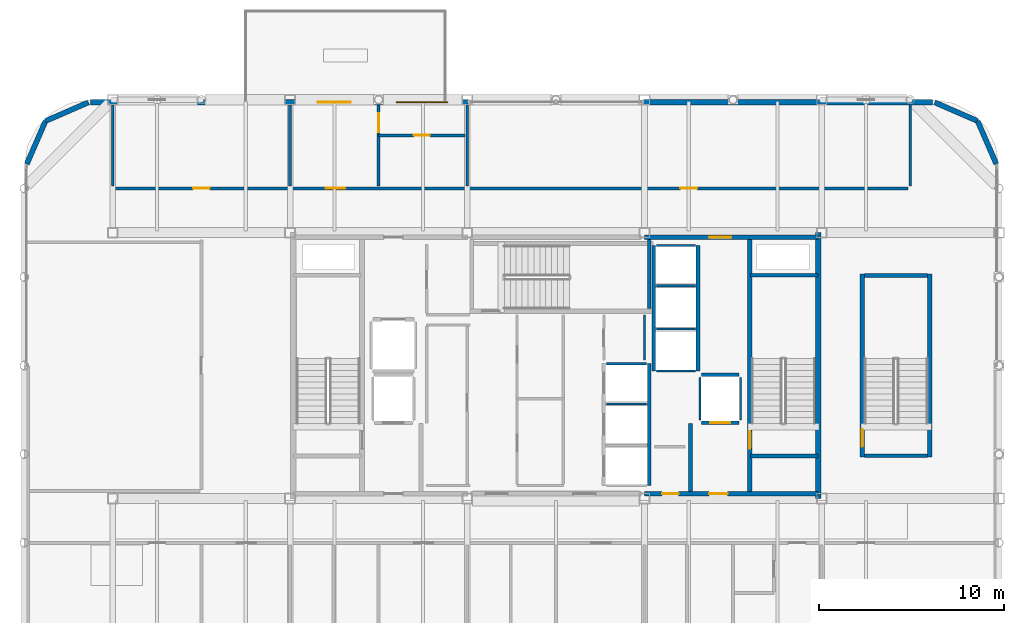
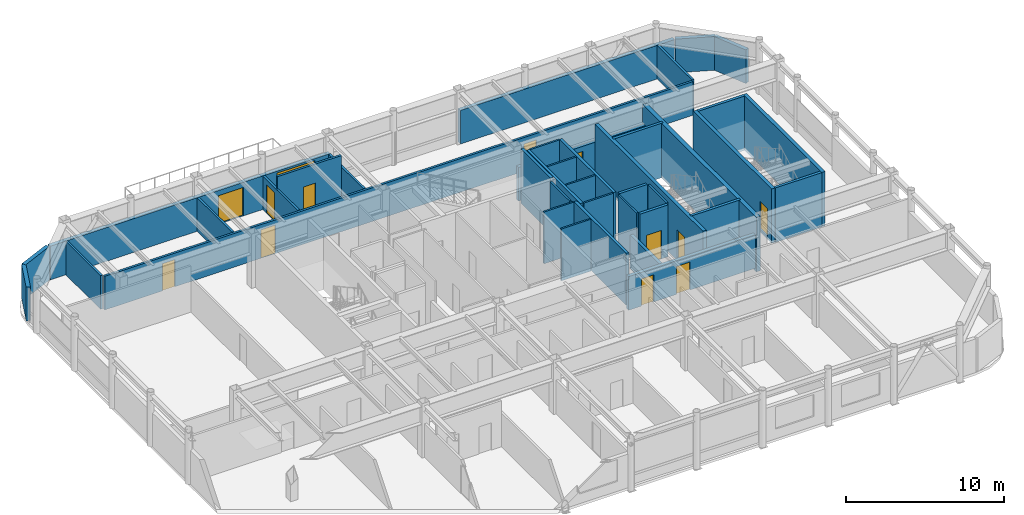
# One storey, part 19 of 23: 39 walls, 12 doors, 1 window, 13 openings.
"""IFC4 building model written with IfcOpenShell, lengths in metres."""

from ifc_helpers import new_model, si_unit, direction, frame, frame_2d, origin, place, context, subcontext, project, spatial, rectangle, extrude, material, layer, layer_set, type_object, element, fill, save


model = new_model("IFC4")

# Units and contexts
model_context = context("Model", 3, precision=1e-05, world=origin(), true_north=direction((0.0, 1.0)))
body_context = subcontext(model_context, "Body", "Model", "MODEL_VIEW")
ifc_project = project(units=[si_unit("LENGTHUNIT", "METRE"), si_unit("AREAUNIT", "SQUARE_METRE"), si_unit("VOLUMEUNIT", "CUBIC_METRE"), si_unit("PLANEANGLEUNIT", "RADIAN"), si_unit("MASSUNIT", "GRAM", prefix="KILO")], contexts=[model_context])

# Site, building, storey
site_placement = place(None, origin())
site = spatial("IfcSite", under=ifc_project, at=site_placement, CompositionType="ELEMENT")
building_placement = place(site_placement, origin())
building = spatial("IfcBuilding", under=site, at=building_placement, Name="Kallvorn Hotel Tower", CompositionType="ELEMENT")
storey_placement = place(building_placement, frame((0.0, 0.0, 282.199951171875)))
storey = spatial("IfcBuildingStorey", under=building, at=storey_placement, Name="L70", CompositionType="ELEMENT", Elevation=282.199951171875)

# Wall
ifc_material_1 = material(Name="Concrete C50/60", Category="concrete")
ifc_layer_1 = layer(ifc_material_1, 0.300048828125)
ifc_layer_set_1 = layer_set([ifc_layer_1], Name="WL_CORE_300")
wall_type_1 = type_object("IfcWallType", Name="WL_CORE_300", PredefinedType="SHEAR", material=ifc_layer_set_1)
wall_1_placement = place(storey_placement, frame((14.215087890625, -7.199951171875, -0.199951171875), z_axis=(0.0, 0.0, 1.0), x_axis=(0.0, 1.0, 0.0)))
element("IfcWall", 1, at=wall_1_placement, inside=storey, type_object=wall_type_1, Name="L70 Core East Shear Wall", PredefinedType="SHEAR", context=body_context, shape_type="SweptSolid", body=[
    extrude(rectangle(XDim=14.39990234375, YDim=0.300048828125, at=frame_2d((7.199951171875, 0.0))), origin(), (0.0, 0.0, 1.0), 4.199951171875),
])

# Wall, openings, doors
ifc_material_2 = material(Name="Fire-rated double-layer acoustic gypsum drywall EI 60")
ifc_layer_2 = layer(ifc_material_2, 0.159912109375)
ifc_layer_set_2 = layer_set([ifc_layer_2], Name="WL_DEMISE_160")
wall_type_2 = type_object("IfcWallType", Name="WL_DEMISE_160", PredefinedType="PARTITIONING", material=ifc_layer_set_2)
wall_2_placement = place(storey_placement, frame((-23.8798828125, 9.60009765625, 0.0), z_axis=(0.0, 0.0, 1.0), x_axis=(1.0, 0.0, 0.0)))
wall_2 = element("IfcWall", 2, at=wall_2_placement, inside=storey, type_object=wall_type_2, Name="L70 Suite 7005 Royal Panorama Living Salon Partition", PredefinedType="PARTITIONING", context=body_context, shape_type="SweptSolid", body=[
    extrude(rectangle(XDim=42.9599609375, YDim=0.159912109375, at=frame_2d((21.47998046875, 0.0))), origin(), (0.0, 0.0, 1.0), 2.60009765625),
])
opening_1_placement = place(wall_2_placement, frame((4.22998046875, 0.0, 0.0)))
opening_1 = element("IfcOpeningElement", 3, at=opening_1_placement, cuts=wall_2, Name="Opening SVD1", PredefinedType="OPENING", context=body_context, shape_type="SweptSolid", body=[
    extrude(rectangle(XDim=0.89990234375, YDim=2.10009765625, at=frame_2d((0.449951171875, 1.050048828125))), frame((0.0, 0.094970703125, 0.0), z_axis=(0.0, -1.0, 0.0), x_axis=(1.0, 0.0, 0.0)), (0.0, 0.0, 1.0), 0.18994140625),
])
opening_2_placement = place(wall_2_placement, frame((11.4150390625, 0.0, 0.0)))
opening_2 = element("IfcOpeningElement", 4, at=opening_2_placement, cuts=wall_2, Name="Opening GD2", PredefinedType="OPENING", context=body_context, shape_type="SweptSolid", body=[
    extrude(rectangle(XDim=1.050048828125, YDim=2.199951171875, at=frame_2d((0.52490234375, 1.10009765625))), frame((0.0, 0.094970703125, 0.0), z_axis=(0.0, -1.0, 0.0), x_axis=(1.0, 0.0, 0.0)), (0.0, 0.0, 1.0), 0.18994140625),
])
opening_3_placement = place(wall_2_placement, frame((30.6298828125, 0.0, 0.0)))
opening_3 = element("IfcOpeningElement", 5, at=opening_3_placement, cuts=wall_2, Name="Opening SVD1", PredefinedType="OPENING", context=body_context, shape_type="SweptSolid", body=[
    extrude(rectangle(XDim=0.89990234375, YDim=2.10009765625, at=frame_2d((0.449951171875, 1.050048828125))), frame((0.0, 0.094970703125, 0.0), z_axis=(0.0, -1.0, 0.0), x_axis=(1.0, 0.0, 0.0)), (0.0, 0.0, 1.0), 0.18994140625),
])
ifc_material_3 = material(Name="Galvanised painted steel fire-rated door assembly", Category="steel")
door_type_1 = type_object("IfcDoorType", Name="DR_SERV_900x2100", OperationType="NOTDEFINED", PredefinedType="DOOR", material=ifc_material_3)
door_1_placement = place(opening_1_placement, origin())
door_1 = element("IfcDoor", 6, at=door_1_placement, inside=storey, type_object=door_type_1, Name="L70 Summit Housekeeping and Butler Room Door", OperationType="SINGLE_SWING_LEFT", OverallHeight=2.10009765625, OverallWidth=0.89990234375, PredefinedType="DOOR", context=body_context, shape_type="SweptSolid", body=[
    extrude(rectangle(XDim=0.89990234375, YDim=2.10009765625, at=frame_2d((0.449951171875, 1.050048828125))), frame((0.0, 0.02490234375, 0.0), z_axis=(0.0, -1.0, 0.0), x_axis=(1.0, 0.0, 0.0)), (0.0, 0.0, 1.0), 0.050048828125),
])
fill(opening_1, door_1)
door_2_placement = place(opening_3_placement, origin())
door_2 = element("IfcDoor", 7, at=door_2_placement, inside=storey, type_object=door_type_1, Name="L70 Private Summit Wine and Cigar Salon Door", OperationType="SINGLE_SWING_LEFT", OverallHeight=2.10009765625, OverallWidth=0.89990234375, PredefinedType="DOOR", context=body_context, shape_type="SweptSolid", body=[
    extrude(rectangle(XDim=0.89990234375, YDim=2.10009765625, at=frame_2d((0.449951171875, 1.050048828125))), frame((0.0, 0.02490234375, 0.0), z_axis=(0.0, -1.0, 0.0), x_axis=(1.0, 0.0, 0.0)), (0.0, 0.0, 1.0), 0.050048828125),
])
fill(opening_3, door_2)
ifc_material_4 = material(Name="Solid-core walnut veneer fire-rated timber door leaf", Category="wood")
door_type_2 = type_object("IfcDoorType", Name="DR_SUITE_1050x2200", OperationType="NOTDEFINED", PredefinedType="DOOR", material=ifc_material_4)
door_3_placement = place(opening_2_placement, origin())
door_3 = element("IfcDoor", 8, at=door_3_placement, inside=storey, type_object=door_type_2, Name="L70 Suite 7005 Royal Panorama Living Salon Door", OperationType="SINGLE_SWING_RIGHT", OverallHeight=2.199951171875, OverallWidth=1.050048828125, PredefinedType="DOOR", context=body_context, shape_type="SweptSolid", body=[
    extrude(rectangle(XDim=1.050048828125, YDim=2.199951171875, at=frame_2d((0.52490234375, 1.10009765625))), frame((0.0, 0.02490234375, 0.0), z_axis=(0.0, -1.0, 0.0), x_axis=(1.0, 0.0, 0.0)), (0.0, 0.0, 1.0), 0.050048828125),
])
fill(opening_2, door_3)

# Wall, opening, door
wall_3_placement = place(storey_placement, frame((-9.60009765625, 12.469970703125, 0.0), z_axis=(0.0, 0.0, 1.0), x_axis=(1.0, 0.0, 0.0)))
wall_3 = element("IfcWall", 9, at=wall_3_placement, inside=storey, type_object=wall_type_2, Name="L70 Suite 7005 Royal Panorama Bedroom Partition", PredefinedType="PARTITIONING", context=body_context, shape_type="SweptSolid", body=[
    extrude(rectangle(XDim=4.68017578125, YDim=0.159912109375, at=frame_2d((2.340087890625, 0.0))), origin(), (0.0, 0.0, 1.0), 3.56005859375),
])
opening_4_placement = place(wall_3_placement, frame((1.909912109375, 0.0, 0.0)))
opening_4 = element("IfcOpeningElement", 10, at=opening_4_placement, cuts=wall_3, Name="Opening BD-I", PredefinedType="OPENING", context=body_context, shape_type="SweptSolid", body=[
    extrude(rectangle(XDim=0.860107421875, YDim=2.10009765625, at=frame_2d((0.43017578125, 1.050048828125))), frame((0.0, 0.094970703125, 0.0), z_axis=(0.0, -1.0, 0.0), x_axis=(1.0, 0.0, 0.0)), (0.0, 0.0, 1.0), 0.18994140625),
])
ifc_material_5 = material(Name="Solid-core walnut veneer fire-rated timber door leaf", Category="wood")
door_type_3 = type_object("IfcDoorType", Name="DR_BATH_860x2100", OperationType="NOTDEFINED", PredefinedType="DOOR", material=ifc_material_5)
door_4_placement = place(opening_4_placement, origin())
door_4 = element("IfcDoor", 11, at=door_4_placement, inside=storey, type_object=door_type_3, Name="L70 Suite 7005 En-Suite Bathroom Door", OperationType="SINGLE_SWING_RIGHT", OverallHeight=2.10009765625, OverallWidth=0.860107421875, PredefinedType="DOOR", context=body_context, shape_type="SweptSolid", body=[
    extrude(rectangle(XDim=0.860107421875, YDim=2.10009765625, at=frame_2d((0.43017578125, 1.050048828125))), frame((0.0, 0.02490234375, 0.0), z_axis=(0.0, -1.0, 0.0), x_axis=(1.0, 0.0, 0.0)), (0.0, 0.0, 1.0), 0.050048828125),
])
fill(opening_4, door_4)

# Wall
wall_4_placement = place(storey_placement, frame((-14.39990234375, 9.719970703125, 0.0), z_axis=(0.0, 0.0, 1.0), x_axis=(0.0, 1.0, 0.0)))
element("IfcWall", 12, at=wall_4_placement, inside=storey, type_object=wall_type_2, Name="L70 Suite 7005 Royal Panorama Living Salon Partition", PredefinedType="PARTITIONING", context=body_context, shape_type="SweptSolid", body=[
    extrude(rectangle(XDim=4.39013671875, YDim=0.159912109375, at=frame_2d((2.195068359375, 0.0))), origin(), (0.0, 0.0, 1.0), 2.60009765625),
])

# Wall, opening, door
wall_5_placement = place(storey_placement, frame((-9.60009765625, 9.719970703125, 0.0), z_axis=(0.0, 0.0, 1.0), x_axis=(0.0, 1.0, 0.0)))
wall_5 = element("IfcWall", 13, at=wall_5_placement, inside=storey, type_object=wall_type_2, Name="L70 Suite 7005 Royal Panorama Living Salon Partition", PredefinedType="PARTITIONING", context=body_context, shape_type="SweptSolid", body=[
    extrude(rectangle(XDim=4.39013671875, YDim=0.159912109375, at=frame_2d((2.195068359375, 0.0))), origin(), (0.0, 0.0, 1.0), 2.60009765625),
])
opening_5_placement = place(wall_5_placement, frame((2.909912109375, 0.0, 0.0)))
opening_5 = element("IfcOpeningElement", 14, at=opening_5_placement, cuts=wall_5, Name="Opening GD2", PredefinedType="OPENING", context=body_context, shape_type="SweptSolid", body=[
    extrude(rectangle(XDim=1.050048828125, YDim=2.199951171875, at=frame_2d((0.52490234375, 1.10009765625))), frame((0.0, 0.094970703125, 0.0), z_axis=(0.0, -1.0, 0.0), x_axis=(1.0, 0.0, 0.0)), (0.0, 0.0, 1.0), 0.18994140625),
])
door_5_placement = place(opening_5_placement, origin())
door_5 = element("IfcDoor", 15, at=door_5_placement, inside=storey, type_object=door_type_2, Name="L70 Suite 7005 Royal Panorama Bedroom Door", OperationType="SINGLE_SWING_LEFT", OverallHeight=2.199951171875, OverallWidth=1.050048828125, PredefinedType="DOOR", context=body_context, shape_type="SweptSolid", body=[
    extrude(rectangle(XDim=1.050048828125, YDim=2.199951171875, at=frame_2d((0.52490234375, 1.10009765625))), frame((0.0, 0.02490234375, 0.0), z_axis=(0.0, -1.0, 0.0), x_axis=(1.0, 0.0, 0.0)), (0.0, 0.0, 1.0), 0.050048828125),
])
fill(opening_5, door_5)

# Walls
wall_6_placement = place(storey_placement, frame((-4.800048828125, 9.719970703125, 0.0), z_axis=(0.0, 0.0, 1.0), x_axis=(0.0, 1.0, 0.0)))
element("IfcWall", 16, at=wall_6_placement, inside=storey, type_object=wall_type_2, Name="L70 Suite 7005 Royal Panorama Bedroom Partition", PredefinedType="PARTITIONING", context=body_context, shape_type="SweptSolid", body=[
    extrude(rectangle(XDim=4.39013671875, YDim=0.159912109375, at=frame_2d((2.195068359375, 0.0))), origin(), (0.0, 0.0, 1.0), 2.60009765625),
])
ifc_material_6 = material(Name="Precast basalt-clad insulated concrete wall C40/50", Category="masonry")
ifc_layer_3 = layer(ifc_material_6, 0.280029296875)
ifc_layer_set_3 = layer_set([ifc_layer_3], Name="WL_EXT_LOGGIA_280")
wall_type_3 = type_object("IfcWallType", Name="WL_EXT_LOGGIA_280", PredefinedType="SOLIDWALL", material=ifc_layer_set_3)
for number, where, z_axis, x_axis, name in (
    (17, (23.85791015625, 10.9208984375, 0.0), (0.0, 0.0, 1.0), (-0.398747232384, 0.917060872934, 0.0), "L70 Rounded Corner Exterior Wall NE1"),
    (18, (22.8466796875, 13.24658203125, 0.0), (0.0, 0.0, 1.0), (-0.917076177656, 0.398712031894, 0.0), "L70 Rounded Corner Exterior Wall NE2"),
    (19, (-25.32080078125, 14.2578125, 0.0), (0.0, 0.0, 1.0), (-0.917060872934, -0.398747232384, 0.0), "L70 Rounded Corner Exterior Wall NW1"),
    (20, (-27.646484375, 13.24658203125, 0.0), (0.0, 0.0, 1.0), (-0.398828190223, -0.917025667407, 0.0), "L70 Rounded Corner Exterior Wall NW2"),
):
    element("IfcWall", number, at=place(storey_placement, frame(where, z_axis=z_axis, x_axis=x_axis)), inside=storey, type_object=wall_type_3, Name=name, PredefinedType="SOLIDWALL", context=body_context, shape_type="SweptSolid", body=[
        extrude(rectangle(XDim=2.5361328125, YDim=0.280029296875, at=frame_2d((1.26806640625, 0.0))), origin(), (0.0, 0.0, 1.0), 2.60009765625),
    ])

# Wall, openings, door, window
wall_7_placement = place(storey_placement, frame((-25.199951171875, 14.260009765625, 0.0), z_axis=(0.0, 0.0, 1.0), x_axis=(1.0, 0.0, 0.0)))
wall_7 = element("IfcWall", 21, at=wall_7_placement, inside=storey, type_object=wall_type_3, Name="L70 Exterior Envelope Wall EW-L70-NW", PredefinedType="SOLIDWALL", context=body_context, shape_type="SweptSolid", body=[
    extrude(rectangle(XDim=20.449951171875, YDim=0.280029296875, at=frame_2d((10.22509765625, 0.0))), origin(), (0.0, 0.0, 1.0), 2.60009765625),
])
opening_6_placement = place(wall_7_placement, frame((12.300048828125, 0.0, 0.0)))
opening_6 = element("IfcOpeningElement", 22, at=opening_6_placement, cuts=wall_7, Name="Opening TD2", PredefinedType="OPENING", context=body_context, shape_type="SweptSolid", body=[
    extrude(rectangle(XDim=1.800048828125, YDim=2.199951171875, at=frame_2d((0.89990234375, 1.10009765625))), frame((0.0, 0.155029296875, 0.0), z_axis=(0.0, -1.0, 0.0), x_axis=(1.0, 0.0, 0.0)), (0.0, 0.0, 1.0), 0.31005859375),
])
opening_7_placement = place(wall_7_placement, frame((16.5400390625, 0.0, 0.75)))
opening_7 = element("IfcOpeningElement", 23, at=opening_7_placement, cuts=wall_7, Name="Opening W08A", PredefinedType="OPENING", context=body_context, shape_type="SweptSolid", body=[
    extrude(rectangle(XDim=2.800048828125, YDim=1.699951171875, at=frame_2d((1.39990234375, 0.85009765625))), frame((0.0, 0.155029296875, 0.0), z_axis=(0.0, -1.0, 0.0), x_axis=(1.0, 0.0, 0.0)), (0.0, 0.0, 1.0), 0.31005859375),
])
ifc_material_7 = material(Name="Double-glazed low-e solar-control dark glass", Category="glass")
door_type_4 = type_object("IfcDoorType", Name="DR_TERR_TOW_1800x2200", OperationType="DOUBLE_DOOR_SINGLE_SWING", PredefinedType="DOOR", material=ifc_material_7)
door_6_placement = place(opening_6_placement, origin())
door_6 = element("IfcDoor", 24, at=door_6_placement, inside=storey, type_object=door_type_4, Name="L70 Step-Off Terrace Glazed Door 1", OperationType="DOUBLE_DOOR_SINGLE_SWING", OverallHeight=2.199951171875, OverallWidth=1.800048828125, PredefinedType="DOOR", context=body_context, shape_type="SweptSolid", body=[
    extrude(rectangle(XDim=1.800048828125, YDim=2.199951171875, at=frame_2d((0.89990234375, 1.10009765625))), frame((0.0, 0.02490234375, 0.0), z_axis=(0.0, -1.0, 0.0), x_axis=(1.0, 0.0, 0.0)), (0.0, 0.0, 1.0), 0.050048828125),
])
fill(opening_6, door_6)
ifc_material_8 = material(Name="Triple-glazed low-e acoustic solar-control dark glass", Category="glass")
window_type = type_object("IfcWindowType", Name="WN_SUM_2800x1700", PartitioningType="SINGLE_PANEL", PredefinedType="WINDOW", material=ifc_material_8)
window_placement = place(opening_7_placement, origin())
window = element("IfcWindow", 25, at=window_placement, inside=storey, type_object=window_type, Name="L70 Guestroom Exterior Window 06", OverallHeight=1.699951171875, OverallWidth=2.800048828125, PartitioningType="SINGLE_PANEL", PredefinedType="WINDOW", context=body_context, shape_type="SweptSolid", body=[
    extrude(rectangle(XDim=2.800048828125, YDim=1.699951171875, at=frame_2d((1.39990234375, 0.85009765625))), frame((0.0, 0.030029296875, 0.0), z_axis=(0.0, -1.0, 0.0), x_axis=(1.0, 0.0, 0.0)), (0.0, 0.0, 1.0), 0.06005859375),
])
fill(opening_7, window)

# Walls
wall_8_placement = place(storey_placement, frame((4.75, 14.260009765625, 0.0), z_axis=(0.0, 0.0, 1.0), x_axis=(1.0, 0.0, 0.0)))
element("IfcWall", 26, at=wall_8_placement, inside=storey, type_object=wall_type_3, Name="L70 Exterior Envelope Wall EW-L70-NE", PredefinedType="SOLIDWALL", context=body_context, shape_type="SweptSolid", body=[
    extrude(rectangle(XDim=15.64990234375, YDim=0.280029296875, at=frame_2d((7.824951171875, 0.0))), origin(), (0.0, 0.0, 1.0), 2.60009765625),
])
ifc_material_9 = material(Name="Concrete C40/50", Category="concrete")
ifc_layer_4 = layer(ifc_material_9, 0.219970703125)
ifc_layer_set_4 = layer_set([ifc_layer_4], Name="WL_FFL_220")
wall_type_4 = type_object("IfcWallType", Name="WL_FFL_220", PredefinedType="SOLIDWALL", material=ifc_layer_set_4)
wall_9_placement = place(storey_placement, frame((7.300048828125, -6.820068359375, 0.0), z_axis=(0.0, 0.0, 1.0), x_axis=(0.0, 1.0, 0.0)))
element("IfcWall", 27, at=wall_9_placement, inside=storey, type_object=wall_type_4, Name="L70 Firefighting Lobby East Divider Wall", PredefinedType="SOLIDWALL", context=body_context, shape_type="SweptSolid", body=[
    extrude(rectangle(XDim=3.670166015625, YDim=0.219970703125, at=frame_2d((1.8349609375, 0.0))), origin(), (0.0, 0.0, 1.0), 2.60009765625),
])
ifc_material_10 = material(Name="Concrete C40/50", Category="concrete")
ifc_layer_5 = layer(ifc_material_10, 0.199951171875)
ifc_layer_set_5 = layer_set([ifc_layer_5], Name="WL_HOIST_200")
wall_type_5 = type_object("IfcWallType", Name="WL_HOIST_200", PredefinedType="SOLIDWALL", material=ifc_layer_set_5)
for number, where, z_axis, x_axis, name in (
    (28, (10.550048828125, -4.89990234375, -0.199951171875), (0.0, 0.0, 1.0), (1.0, 0.0, 0.0), "L70 Stair ST2 South Wall"),
    (29, (10.550048828125, 4.89990234375, -0.199951171875), (0.0, 0.0, 1.0), (1.0, 0.0, 0.0), "L70 Stair ST2 North Wall"),
):
    element("IfcWall", number, at=place(storey_placement, frame(where, z_axis=z_axis, x_axis=x_axis)), inside=storey, type_object=wall_type_5, Name=name, PredefinedType="SOLIDWALL", context=body_context, shape_type="SweptSolid", body=[
        extrude(rectangle(XDim=3.64990234375, YDim=0.199951171875, at=frame_2d((1.824951171875, 0.0))), origin(), (0.0, 0.0, 1.0), 4.199951171875),
    ])
wall_10_placement = place(storey_placement, frame((5.06005859375, 3.080078125, -0.199951171875), z_axis=(0.0, 0.0, 1.0), x_axis=(0.0, 1.0, 0.0)))
element("IfcWall", 30, at=wall_10_placement, inside=storey, type_object=wall_type_5, Name="L70 Stair ST3 East Wall", PredefinedType="SOLIDWALL", context=body_context, shape_type="SweptSolid", body=[
    extrude(rectangle(XDim=3.739990234375, YDim=0.199951171875, at=frame_2d((1.8701171875, 0.0))), origin(), (0.0, 0.0, 1.0), 4.199951171875),
])
for number, where, z_axis, x_axis, name in (
    (31, (16.72998046875, -4.8798828125, -0.199951171875), (0.0, 0.0, 1.0), (1.0, 0.0, 0.0), "L70 Summit Exit Stair ST4 South Wall"),
    (32, (16.72998046875, 4.8798828125, -0.199951171875), (0.0, 0.0, 1.0), (1.0, 0.0, 0.0), "L70 Summit Exit Stair ST4 North Wall"),
):
    element("IfcWall", number, at=place(storey_placement, frame(where, z_axis=z_axis, x_axis=x_axis)), inside=storey, type_object=wall_type_5, Name=name, PredefinedType="SOLIDWALL", context=body_context, shape_type="SweptSolid", body=[
        extrude(rectangle(XDim=3.39990234375, YDim=0.199951171875, at=frame_2d((1.699951171875, 0.0))), origin(), (0.0, 0.0, 1.0), 4.199951171875),
    ])
wall_11_placement = place(storey_placement, frame((5.050048828125, -6.5, 0.0), z_axis=(0.0, 0.0, 1.0), x_axis=(0.0, 1.0, 0.0)))
element("IfcWall", 33, at=wall_11_placement, inside=storey, type_object=wall_type_5, Name="L70 Lift Bank B3A Rear Shaft Wall", PredefinedType="SOLIDWALL", context=body_context, shape_type="SweptSolid", body=[
    extrude(rectangle(XDim=6.60009765625, YDim=0.199951171875, at=frame_2d((3.300048828125, 0.0))), origin(), (0.0, 0.0, 1.0), 4.0),
])
for number, where, z_axis, x_axis, name in (
    (34, (7.699951171875, -0.300048828125, 0.0), (0.0, 0.0, 1.0), (0.0, 1.0, 0.0), "L70 Lift Bank OBS Landing Wall"),
    (35, (5.300048828125, -0.300048828125, 0.0), (0.0, 0.0, 1.0), (0.0, 1.0, 0.0), "L70 Lift Bank OBS Rear Shaft Wall"),
):
    element("IfcWall", number, at=place(storey_placement, frame(where, z_axis=z_axis, x_axis=x_axis)), inside=storey, type_object=wall_type_5, Name=name, PredefinedType="SOLIDWALL", context=body_context, shape_type="SweptSolid", body=[
        extrude(rectangle(XDim=6.800048828125, YDim=0.199951171875, at=frame_2d((3.39990234375, 0.0))), origin(), (0.0, 0.0, 1.0), 4.0),
    ])

# Wall, opening, door
wall_12_placement = place(storey_placement, frame((7.8798828125, -3.10009765625, 0.0), z_axis=(0.0, 0.0, 1.0), x_axis=(1.0, 0.0, 0.0)))
wall_12 = element("IfcWall", 36, at=wall_12_placement, inside=storey, type_object=wall_type_5, Name="L70 FL-2 Landing Wall", PredefinedType="SOLIDWALL", context=body_context, shape_type="SweptSolid", body=[
    extrude(rectangle(XDim=2.0400390625, YDim=0.199951171875, at=frame_2d((1.02001953125, 0.0))), origin(), (0.0, 0.0, 1.0), 4.0),
])
opening_8_placement = place(wall_12_placement, frame((0.469970703125, 0.0, 0.0)))
opening_8 = element("IfcOpeningElement", 37, at=opening_8_placement, cuts=wall_12, Name="Opening LD-FL-2", PredefinedType="OPENING", context=body_context, shape_type="SweptSolid", body=[
    extrude(rectangle(XDim=1.10009765625, YDim=2.199951171875, at=frame_2d((0.550048828125, 1.10009765625))), frame((0.0, 0.114990234375, 0.0), z_axis=(0.0, -1.0, 0.0), x_axis=(1.0, 0.0, 0.0)), (0.0, 0.0, 1.0), 0.22998046875),
])
ifc_material_11 = material(Name="Brushed stainless-steel automatic sliding lift landing door", Category="steel")
door_type_5 = type_object("IfcDoorType", Name="LD_PASS_1100x2200", OperationType="SLIDING_TO_LEFT", PredefinedType="DOOR", material=ifc_material_11)
door_7_placement = place(opening_8_placement, origin())
door_7 = element("IfcDoor", 38, at=door_7_placement, inside=storey, type_object=door_type_5, Name="L70 Lift Landing Sliding Door LD-FL-2", OperationType="SLIDING_TO_LEFT", OverallHeight=2.199951171875, OverallWidth=1.10009765625, PredefinedType="DOOR", context=body_context, shape_type="SweptSolid", body=[
    extrude(rectangle(XDim=1.10009765625, YDim=2.199951171875, at=frame_2d((0.550048828125, 1.10009765625))), frame((0.0, 0.02490234375, 0.0), z_axis=(0.0, -1.0, 0.0), x_axis=(1.0, 0.0, 0.0)), (0.0, 0.0, 1.0), 0.050048828125),
])
fill(opening_8, door_7)

# Walls
wall_13_placement = place(storey_placement, frame((7.8798828125, -0.5, 0.0), z_axis=(0.0, 0.0, 1.0), x_axis=(1.0, 0.0, 0.0)))
element("IfcWall", 39, at=wall_13_placement, inside=storey, type_object=wall_type_5, Name="L70 FL-2 Rear Shaft Wall", PredefinedType="SOLIDWALL", context=body_context, shape_type="SweptSolid", body=[
    extrude(rectangle(XDim=2.0400390625, YDim=0.199951171875, at=frame_2d((1.02001953125, 0.0))), origin(), (0.0, 0.0, 1.0), 4.0),
])
ifc_material_12 = material(Name="Fire-rated double-layer acoustic gypsum drywall EI 60")
ifc_layer_6 = layer(ifc_material_12, 0.1201171875)
ifc_layer_set_6 = layer_set([ifc_layer_6], Name="WL_INT_120")
wall_type_6 = type_object("IfcWallType", Name="WL_INT_120", PredefinedType="PARTITIONING", material=ifc_layer_set_6)
for number, where, z_axis, x_axis, name in (
    (40, (2.739990234375, -2.074951171875, 0.0), (0.0, 0.0, 1.0), (1.0, 0.0, 0.0), "L70 PL-10 Hoistway Divider"),
    (41, (2.739990234375, 0.10009765625, 0.0), (0.0, 0.0, 1.0), (1.0, 0.0, 0.0), "L70 PL-11 Hoistway Divider"),
):
    element("IfcWall", number, at=place(storey_placement, frame(where, z_axis=z_axis, x_axis=x_axis)), inside=storey, type_object=wall_type_6, Name=name, PredefinedType="PARTITIONING", context=body_context, shape_type="SweptSolid", body=[
        extrude(rectangle(XDim=2.169921875, YDim=0.1201171875, at=frame_2d((1.0849609375, 0.0))), origin(), (0.0, 0.0, 1.0), 4.0),
    ])
for number, where, z_axis, x_axis, name in (
    (42, (5.43994140625, -0.300048828125, 0.0), (0.0, 0.0, 1.0), (1.0, 0.0, 0.0), "L70 Lift Bank OBS South Closure Wall"),
    (43, (5.43994140625, 1.97509765625, 0.0), (0.0, 0.0, 1.0), (1.0, 0.0, 0.0), "L70 OB-01 Hoistway Divider"),
    (44, (5.43994140625, 4.324951171875, 0.0), (0.0, 0.0, 1.0), (1.0, 0.0, 0.0), "L70 OB-02 Hoistway Divider"),
    (45, (5.43994140625, 6.5, 0.0), (0.0, 0.0, 1.0), (1.0, 0.0, 0.0), "L70 OB-03 Hoistway Divider"),
):
    element("IfcWall", number, at=place(storey_placement, frame(where, z_axis=z_axis, x_axis=x_axis)), inside=storey, type_object=wall_type_6, Name=name, PredefinedType="PARTITIONING", context=body_context, shape_type="SweptSolid", body=[
        extrude(rectangle(XDim=2.1201171875, YDim=0.1201171875, at=frame_2d((1.06005859375, 0.0))), origin(), (0.0, 0.0, 1.0), 4.0),
    ])
for number, where, z_axis, x_axis, name in (
    (46, (7.800048828125, -2.9599609375, 0.0), (0.0, 0.0, 1.0), (0.0, 1.0, 0.0), "L70 FL-2 West Shaft Wall"),
    (47, (10.0, -2.9599609375, 0.0), (0.0, 0.0, 1.0), (0.0, 1.0, 0.0), "L70 FL-2 East Shaft Wall"),
):
    element("IfcWall", number, at=place(storey_placement, frame(where, z_axis=z_axis, x_axis=x_axis)), inside=storey, type_object=wall_type_6, Name=name, PredefinedType="PARTITIONING", context=body_context, shape_type="SweptSolid", body=[
        extrude(rectangle(XDim=2.320068359375, YDim=0.1201171875, at=frame_2d((1.16015625, 0.0))), origin(), (0.0, 0.0, 1.0), 4.0),
    ])
wall_14_placement = place(storey_placement, frame((4.800048828125, 0.300048828125, 0.0), z_axis=(0.0, 0.0, 1.0), x_axis=(0.0, 1.0, 0.0)))
element("IfcWall", 48, at=wall_14_placement, inside=storey, type_object=wall_type_6, Name="L70 East Core Janitor Room Partition", PredefinedType="PARTITIONING", context=body_context, shape_type="SweptSolid", body=[
    extrude(rectangle(XDim=2.449951171875, YDim=0.1201171875, at=frame_2d((1.22509765625, 0.0))), origin(), (0.0, 0.0, 1.0), 4.0),
])
ifc_material_13 = material(Name="Fire-rated double-layer acoustic gypsum drywall EI 60")
ifc_layer_7 = layer(ifc_material_13, 0.14990234375)
ifc_layer_set_7 = layer_set([ifc_layer_7], Name="WL_PART_150")
wall_type_7 = type_object("IfcWallType", Name="WL_PART_150", PredefinedType="PARTITIONING", material=ifc_layer_set_7)
for number, where, z_axis, x_axis, name in (
    (49, (-24.0, 9.719970703125, 0.0), (0.0, 0.0, 1.0), (0.0, 1.0, 0.0), "L70 Summit Housekeeping and Butler Room Partition"),
    (50, (19.199951171875, 9.719970703125, 0.0), (0.0, 0.0, 1.0), (0.0, 1.0, 0.0), "L70 Private Summit Wine and Cigar Salon Partition"),
):
    element("IfcWall", number, at=place(storey_placement, frame(where, z_axis=z_axis, x_axis=x_axis)), inside=storey, type_object=wall_type_7, Name=name, PredefinedType="PARTITIONING", context=body_context, shape_type="SweptSolid", body=[
        extrude(rectangle(XDim=4.39013671875, YDim=0.14990234375, at=frame_2d((2.195068359375, 0.0))), origin(), (0.0, 0.0, 1.0), 2.60009765625),
    ])

# Wall, openings, doors
ifc_material_14 = material(Name="Concrete C40/50", Category="concrete")
ifc_layer_8 = layer(ifc_material_14, 0.25)
ifc_layer_set_8 = layer_set([ifc_layer_8], Name="WL_SHAFT_250")
wall_type_8 = type_object("IfcWallType", Name="WL_SHAFT_250", PredefinedType="SOLIDWALL", material=ifc_layer_set_8)
wall_15_placement = place(storey_placement, frame((4.800048828125, -6.949951171875, 0.0), z_axis=(0.0, 0.0, 1.0), x_axis=(1.0, 0.0, 0.0)))
wall_15 = element("IfcWall", 51, at=wall_15_placement, inside=storey, type_object=wall_type_8, Name="L70 Core South-East Wall", PredefinedType="SOLIDWALL", context=body_context, shape_type="SweptSolid", body=[
    extrude(rectangle(XDim=9.39990234375, YDim=0.25, at=frame_2d((4.699951171875, 0.0))), origin(), (0.0, 0.0, 1.0), 2.60009765625),
])
opening_9_placement = place(wall_15_placement, frame((3.5, 0.0, 0.0)))
opening_9 = element("IfcOpeningElement", 52, at=opening_9_placement, cuts=wall_15, Name="Opening FD1", PredefinedType="OPENING", context=body_context, shape_type="SweptSolid", body=[
    extrude(rectangle(XDim=1.0, YDim=2.14990234375, at=frame_2d((0.5, 1.074951171875))), frame((0.0, 0.139892578125, 0.0), z_axis=(0.0, -1.0, 0.0), x_axis=(1.0, 0.0, 0.0)), (0.0, 0.0, 1.0), 0.280029296875),
])
opening_10_placement = place(wall_15_placement, frame((0.949951171875, 0.0, 0.0)))
opening_10 = element("IfcOpeningElement", 53, at=opening_10_placement, cuts=wall_15, Name="Opening SVD1", PredefinedType="OPENING", context=body_context, shape_type="SweptSolid", body=[
    extrude(rectangle(XDim=0.89990234375, YDim=2.10009765625, at=frame_2d((0.449951171875, 1.050048828125))), frame((0.0, 0.139892578125, 0.0), z_axis=(0.0, -1.0, 0.0), x_axis=(1.0, 0.0, 0.0)), (0.0, 0.0, 1.0), 0.280029296875),
])
ifc_material_15 = material(Name="Galvanised painted steel fire-rated door assembly", Category="steel")
door_type_6 = type_object("IfcDoorType", Name="DR_FFL_1000x2150", OperationType="NOTDEFINED", PredefinedType="DOOR", material=ifc_material_15)
door_8_placement = place(opening_9_placement, origin())
door_8 = element("IfcDoor", 54, at=door_8_placement, inside=storey, type_object=door_type_6, Name="L70 Firefighting Lobby East Door", OperationType="SINGLE_SWING_LEFT", OverallHeight=2.14990234375, OverallWidth=1.0, PredefinedType="DOOR", context=body_context, shape_type="SweptSolid", body=[
    extrude(rectangle(XDim=1.0, YDim=2.14990234375, at=frame_2d((0.5, 1.074951171875))), frame((0.0, 0.02490234375, 0.0), z_axis=(0.0, -1.0, 0.0), x_axis=(1.0, 0.0, 0.0)), (0.0, 0.0, 1.0), 0.050048828125),
])
fill(opening_9, door_8)
door_9_placement = place(opening_10_placement, origin())
door_9 = element("IfcDoor", 55, at=door_9_placement, inside=storey, type_object=door_type_1, Name="L70 Core Staff Restroom WC Door", OperationType="SINGLE_SWING_RIGHT", OverallHeight=2.10009765625, OverallWidth=0.89990234375, PredefinedType="DOOR", context=body_context, shape_type="SweptSolid", body=[
    extrude(rectangle(XDim=0.89990234375, YDim=2.10009765625, at=frame_2d((0.449951171875, 1.050048828125))), frame((0.0, 0.02490234375, 0.0), z_axis=(0.0, -1.0, 0.0), x_axis=(1.0, 0.0, 0.0)), (0.0, 0.0, 1.0), 0.050048828125),
])
fill(opening_10, door_9)

# Wall, opening, door
wall_16_placement = place(storey_placement, frame((4.800048828125, 6.949951171875, 0.0), z_axis=(0.0, 0.0, 1.0), x_axis=(1.0, 0.0, 0.0)))
wall_16 = element("IfcWall", 56, at=wall_16_placement, inside=storey, type_object=wall_type_8, Name="L70 Core North-East Wall", PredefinedType="SOLIDWALL", context=body_context, shape_type="SweptSolid", body=[
    extrude(rectangle(XDim=9.39990234375, YDim=0.25, at=frame_2d((4.699951171875, 0.0))), origin(), (0.0, 0.0, 1.0), 2.60009765625),
])
opening_11_placement = place(wall_16_placement, frame((3.5, 0.0, 0.0)))
opening_11 = element("IfcOpeningElement", 57, at=opening_11_placement, cuts=wall_16, Name="Opening FD2", PredefinedType="OPENING", context=body_context, shape_type="SweptSolid", body=[
    extrude(rectangle(XDim=1.199951171875, YDim=2.199951171875, at=frame_2d((0.60009765625, 1.10009765625))), frame((0.0, 0.139892578125, 0.0), z_axis=(0.0, -1.0, 0.0), x_axis=(1.0, 0.0, 0.0)), (0.0, 0.0, 1.0), 0.280029296875),
])
ifc_material_16 = material(Name="Galvanised painted steel fire-rated door assembly", Category="steel")
door_type_7 = type_object("IfcDoorType", Name="DR_LOBBY_1200x2200", OperationType="DOUBLE_DOOR_SINGLE_SWING", PredefinedType="DOOR", material=ifc_material_16)
door_10_placement = place(opening_11_placement, origin())
door_10 = element("IfcDoor", 58, at=door_10_placement, inside=storey, type_object=door_type_7, Name="L70 Observatory Shuttle Lobby Door", OperationType="DOUBLE_DOOR_SINGLE_SWING", OverallHeight=2.199951171875, OverallWidth=1.199951171875, PredefinedType="DOOR", context=body_context, shape_type="SweptSolid", body=[
    extrude(rectangle(XDim=1.199951171875, YDim=2.199951171875, at=frame_2d((0.60009765625, 1.10009765625))), frame((0.0, 0.02490234375, 0.0), z_axis=(0.0, -1.0, 0.0), x_axis=(1.0, 0.0, 0.0)), (0.0, 0.0, 1.0), 0.050048828125),
])
fill(opening_11, door_10)

wall_17_placement = place(storey_placement, frame((10.5, -6.820068359375, -0.199951171875), z_axis=(0.0, 0.0, 1.0), x_axis=(0.0, 1.0, 0.0)))
wall_17 = element("IfcWall", 59, at=wall_17_placement, inside=storey, type_object=wall_type_8, Name="L70 Stair ST2 Shaft Wall", PredefinedType="SOLIDWALL", context=body_context, shape_type="SweptSolid", body=[
    extrude(rectangle(XDim=13.64013671875, YDim=0.25, at=frame_2d((6.820068359375, 0.0))), origin(), (0.0, 0.0, 1.0), 4.199951171875),
])
opening_12_placement = place(wall_17_placement, frame((2.320068359375, 0.0, 0.199951171875)))
opening_12 = element("IfcOpeningElement", 60, at=opening_12_placement, cuts=wall_17, Name="Opening SD1", PredefinedType="OPENING", context=body_context, shape_type="SweptSolid", body=[
    extrude(rectangle(XDim=0.949951171875, YDim=2.14990234375, at=frame_2d((0.47509765625, 1.074951171875))), frame((0.0, 0.139892578125, 0.0), z_axis=(0.0, -1.0, 0.0), x_axis=(1.0, 0.0, 0.0)), (0.0, 0.0, 1.0), 0.280029296875),
])
ifc_material_17 = material(Name="Galvanised painted steel fire-rated door assembly", Category="steel")
door_type_8 = type_object("IfcDoorType", Name="DR_STAIR_950x2150", OperationType="NOTDEFINED", PredefinedType="DOOR", material=ifc_material_17)
door_11_placement = place(opening_12_placement, origin())
door_11 = element("IfcDoor", 61, at=door_11_placement, inside=storey, type_object=door_type_8, Name="L70 Exit Stair ST2 Fire Door", OperationType="SINGLE_SWING_LEFT", OverallHeight=2.14990234375, OverallWidth=0.949951171875, PredefinedType="DOOR", context=body_context, shape_type="SweptSolid", body=[
    extrude(rectangle(XDim=0.949951171875, YDim=2.14990234375, at=frame_2d((0.47509765625, 1.074951171875))), frame((0.0, 0.02490234375, 0.0), z_axis=(0.0, -1.0, 0.0), x_axis=(1.0, 0.0, 0.0)), (0.0, 0.0, 1.0), 0.050048828125),
])
fill(opening_12, door_11)

# Wall
wall_18_placement = place(storey_placement, frame((20.260009765625, -4.9599609375, -0.199951171875), z_axis=(0.0, 0.0, 1.0), x_axis=(0.0, 1.0, 0.0)))
element("IfcWall", 62, at=wall_18_placement, inside=storey, type_object=wall_type_8, Name="L70 Summit Exit Stair ST4 East Wall", PredefinedType="SOLIDWALL", context=body_context, shape_type="SweptSolid", body=[
    extrude(rectangle(XDim=9.919921875, YDim=0.25, at=frame_2d((4.9599609375, 0.0))), origin(), (0.0, 0.0, 1.0), 4.199951171875),
])

# Wall, opening, door
wall_19_placement = place(storey_placement, frame((16.60009765625, -4.9599609375, -0.199951171875), z_axis=(0.0, 0.0, 1.0), x_axis=(0.0, 1.0, 0.0)))
wall_19 = element("IfcWall", 63, at=wall_19_placement, inside=storey, type_object=wall_type_8, Name="L70 Summit Exit Stair ST4 West Wall", PredefinedType="SOLIDWALL", context=body_context, shape_type="SweptSolid", body=[
    extrude(rectangle(XDim=9.919921875, YDim=0.25, at=frame_2d((4.9599609375, 0.0))), origin(), (0.0, 0.0, 1.0), 4.199951171875),
])
opening_13_placement = place(wall_19_placement, frame((0.550048828125, 0.0, 0.199951171875)))
opening_13 = element("IfcOpeningElement", 64, at=opening_13_placement, cuts=wall_19, Name="Opening SD1", PredefinedType="OPENING", context=body_context, shape_type="SweptSolid", body=[
    extrude(rectangle(XDim=0.949951171875, YDim=2.14990234375, at=frame_2d((0.47509765625, 1.074951171875))), frame((0.0, 0.139892578125, 0.0), z_axis=(0.0, -1.0, 0.0), x_axis=(1.0, 0.0, 0.0)), (0.0, 0.0, 1.0), 0.280029296875),
])
door_12_placement = place(opening_13_placement, origin())
door_12 = element("IfcDoor", 65, at=door_12_placement, inside=storey, type_object=door_type_8, Name="L70 Summit Exit Stair ST4 Fire Door", OperationType="SINGLE_SWING_LEFT", OverallHeight=2.14990234375, OverallWidth=0.949951171875, PredefinedType="DOOR", context=body_context, shape_type="SweptSolid", body=[
    extrude(rectangle(XDim=0.949951171875, YDim=2.14990234375, at=frame_2d((0.47509765625, 1.074951171875))), frame((0.0, 0.02490234375, 0.0), z_axis=(0.0, -1.0, 0.0), x_axis=(1.0, 0.0, 0.0)), (0.0, 0.0, 1.0), 0.050048828125),
])
fill(opening_13, door_12)

save(model, "model.ifc")
